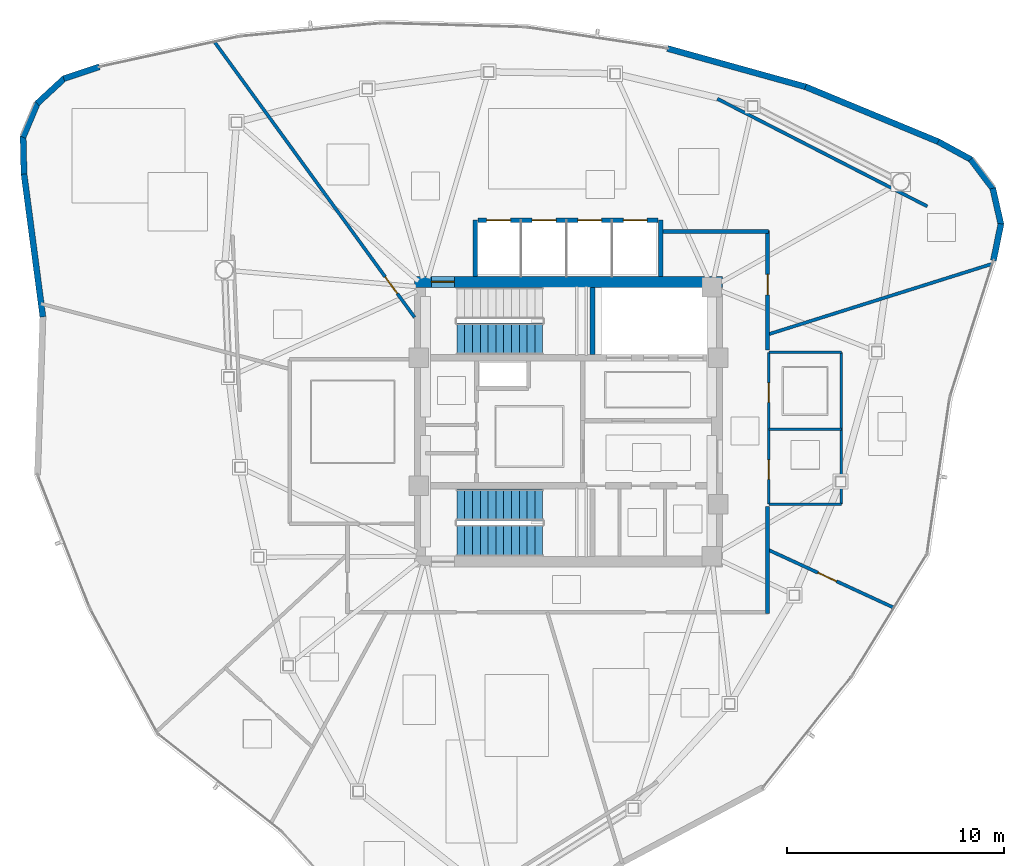
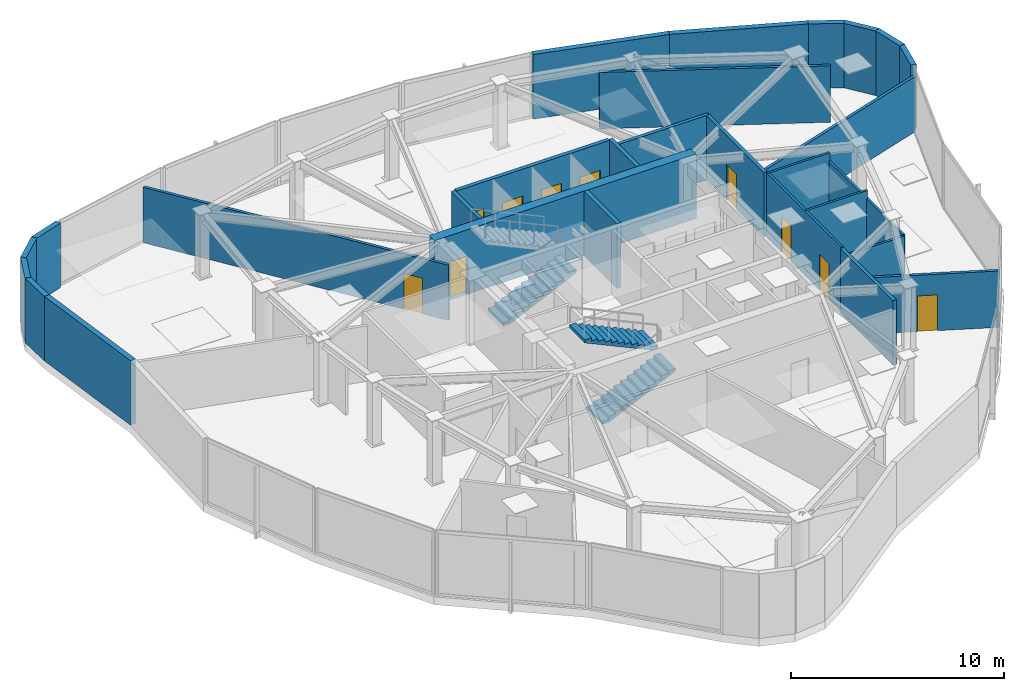
# One storey, part 10 of 14: 28 walls, 10 doors, 3 stair flights, 10 openings, 2 elements without a shape of their own.
"""IFC4 building model written with IfcOpenShell, lengths in metres."""

from ifc_helpers import new_model, si_unit, direction, frame, frame_2d, origin, place, context, subcontext, project, spatial, polyline, rectangle, outline, extrude, material, layer, layer_set, type_object, element, fill, aggregate, save


model = new_model("IFC4")

# Units and contexts
model_context = context("Model", 3, precision=1e-05, world=origin(), true_north=direction((0.0, 1.0)))
body_context = subcontext(model_context, "Body", "Model", "MODEL_VIEW")
ifc_project = project(units=[si_unit("LENGTHUNIT", "METRE"), si_unit("AREAUNIT", "SQUARE_METRE"), si_unit("VOLUMEUNIT", "CUBIC_METRE"), si_unit("PLANEANGLEUNIT", "RADIAN"), si_unit("MASSUNIT", "GRAM", prefix="KILO")], contexts=[model_context])

# Site, building, storey
site_placement = place(None, origin())
site = spatial("IfcSite", under=ifc_project, at=site_placement, CompositionType="ELEMENT")
building_placement = place(site_placement, origin())
building = spatial("IfcBuilding", under=site, at=building_placement, Name="Tavelor Broadcast Tower", CompositionType="ELEMENT")
storey_placement = place(building_placement, frame((0.0, 0.0, 273.5)))
storey = spatial("IfcBuildingStorey", under=building, at=storey_placement, Name="L65", CompositionType="ELEMENT", Elevation=273.5)

# Wall, opening, door
ifc_material_1 = material(Name="Concrete C50/60", Category="concrete")
ifc_layer_1 = layer(ifc_material_1, 0.5)
ifc_layer_set_1 = layer_set([ifc_layer_1], Name="Concrete C50/60")
wall_type_1 = type_object("IfcWallType", Name="Core Shear Wall 500 mm", PredefinedType="SHEAR", material=ifc_layer_set_1)
wall_1_placement = place(storey_placement, frame((42.89990234375, 51.449951171875, 0.0), z_axis=(0.0, 0.0, 1.0), x_axis=(1.0, 0.0, 0.0)))
wall_1 = element("IfcWall", 1, at=wall_1_placement, inside=storey, type_object=wall_type_1, Name="L65 Central Core Shear Wall N", PredefinedType="SHEAR", context=body_context, shape_type="SweptSolid", body=[
    extrude(rectangle(XDim=14.2001953125, YDim=0.5, at=frame_2d((7.10009765625, 0.0))), origin(), (0.0, 0.0, 1.0), 3.699951171875),
])
opening_1_placement = place(wall_1_placement, frame((0.780029296875, 0.0, 0.0)))
opening_1 = element("IfcOpeningElement", 2, at=opening_1_placement, cuts=wall_1, Name="Opening DR11", PredefinedType="OPENING", context=body_context, shape_type="SweptSolid", body=[
    extrude(rectangle(XDim=1.050048828125, YDim=2.199951171875, at=frame_2d((0.52490234375, 1.10009765625))), frame((0.0, 0.260009765625, 0.0), z_axis=(0.0, -1.0, 0.0), x_axis=(1.0, 0.0, 0.0)), (0.0, 0.0, 1.0), 0.52001953125),
])
ifc_material_2 = material(Name="Steel S355", Category="steel")
door_type_1 = type_object("IfcDoorType", Name="Stair Core Fire Escape Door 1050x2200", OperationType="NOTDEFINED", PredefinedType="DOOR", material=ifc_material_2)
door_1_placement = place(opening_1_placement, origin())
door_1 = element("IfcDoor", 3, at=door_1_placement, inside=storey, type_object=door_type_1, Name="L65 Stair ST1 Protected Exit Door", OperationType="SINGLE_SWING_LEFT", OverallHeight=2.199951171875, OverallWidth=1.050048828125, PredefinedType="DOOR", context=body_context, shape_type="SweptSolid", body=[
    extrude(rectangle(XDim=1.050048828125, YDim=2.199951171875, at=frame_2d((0.52490234375, 1.10009765625))), frame((0.0, 0.02490234375, 0.0), z_axis=(0.0, -1.0, 0.0), x_axis=(1.0, 0.0, 0.0)), (0.0, 0.0, 1.0), 0.050048828125),
])
fill(opening_1, door_1)

# Wall
ifc_material_3 = material(Name="Calcium Silicate Fire Board 180 mm", Category="gypsum")
ifc_layer_2 = layer(ifc_material_3, 0.179931640625)
ifc_layer_set_2 = layer_set([ifc_layer_2], Name="Calcium Silicate Fire Board 180 mm")
wall_type_2 = type_object("IfcWallType", Name="Fire-Rated Corridor Partition Wall 180 mm", PredefinedType="PARTITIONING", material=ifc_layer_set_2)
wall_2_placement = place(storey_placement, frame((54.300048828125, 53.780029296875, 0.0), z_axis=(0.0, 0.0, 1.0), x_axis=(1.0, 0.0, 0.0)))
element("IfcWall", 4, at=wall_2_placement, inside=storey, type_object=wall_type_2, Name="L65 Corridor Compartment Wall 01", PredefinedType="PARTITIONING", context=body_context, shape_type="SweptSolid", body=[
    extrude(rectangle(XDim=4.929931640625, YDim=0.179931640625, at=frame_2d((2.46484375, 0.0))), origin(), (0.0, 0.0, 1.0), 3.699951171875),
])

# Wall, opening, door
wall_3_placement = place(storey_placement, frame((59.179931640625, 53.830078125, 0.0), z_axis=(0.0, 0.0, 1.0), x_axis=(0.0, -1.0, 0.0)))
wall_3 = element("IfcWall", 5, at=wall_3_placement, inside=storey, type_object=wall_type_2, Name="L65 Corridor Compartment Wall 02", PredefinedType="PARTITIONING", context=body_context, shape_type="SweptSolid", body=[
    extrude(rectangle(XDim=5.530029296875, YDim=0.179931640625, at=frame_2d((2.76513671875, 0.0))), origin(), (0.0, 0.0, 1.0), 3.699951171875),
])
opening_2_placement = place(wall_3_placement, frame((2.027587890625, 0.0, 0.0)))
opening_2 = element("IfcOpeningElement", 6, at=opening_2_placement, cuts=wall_3, Name="Opening DR18", PredefinedType="OPENING", context=body_context, shape_type="SweptSolid", body=[
    extrude(rectangle(XDim=0.949951171875, YDim=2.050048828125, at=frame_2d((0.47509765625, 1.02490234375))), frame((0.0, 0.10009765625, 0.0), z_axis=(0.0, -1.0, 0.0), x_axis=(1.0, 0.0, 0.0)), (0.0, 0.0, 1.0), 0.199951171875),
])
ifc_material_4 = material(Name="Timber Solid Core Hardwood", Category="wood")
door_type_2 = type_object("IfcDoorType", Name="Corridor Rated Compartment Door 950x2050", OperationType="NOTDEFINED", PredefinedType="DOOR", material=ifc_material_4)
door_2_placement = place(opening_2_placement, origin())
door_2 = element("IfcDoor", 7, at=door_2_placement, inside=storey, type_object=door_type_2, Name="L65 Visitor Reception Desk Door R6", OperationType="SINGLE_SWING_RIGHT", OverallHeight=2.050048828125, OverallWidth=0.949951171875, PredefinedType="DOOR", context=body_context, shape_type="SweptSolid", body=[
    extrude(rectangle(XDim=0.949951171875, YDim=2.050048828125, at=frame_2d((0.47509765625, 1.02490234375))), frame((0.0, 0.02490234375, 0.0), z_axis=(0.0, -1.0, 0.0), x_axis=(1.0, 0.0, 0.0)), (0.0, 0.0, 1.0), 0.050048828125),
])
fill(opening_2, door_2)

# Walls
wall_4_placement = place(storey_placement, frame((59.179931640625, 41.10009765625, 0.0), z_axis=(0.0, 0.0, 1.0), x_axis=(0.0, -1.0, 0.0)))
element("IfcWall", 8, at=wall_4_placement, inside=storey, type_object=wall_type_2, Name="L65 Corridor Compartment Wall 03", PredefinedType="PARTITIONING", context=body_context, shape_type="SweptSolid", body=[
    extrude(rectangle(XDim=4.93017578125, YDim=0.179931640625, at=frame_2d((2.465087890625, 0.0))), origin(), (0.0, 0.0, 1.0), 3.699951171875),
])
ifc_material_5 = material(Name="Precast Concrete C40/50", Category="concrete")
ifc_layer_3 = layer(ifc_material_5, 0.280029296875)
ifc_layer_set_3 = layer_set([ifc_layer_3], Name="Precast Concrete C40/50")
wall_type_3 = type_object("IfcWallType", Name="Insulated Precast Terracotta Facade Wall 280 mm", PredefinedType="STANDARD", material=ifc_layer_set_3)
wall_5_placement = place(storey_placement, frame((28.362060546875, 61.36767578125, 0.0), z_axis=(0.0, 0.0, 1.0), x_axis=(-0.948584116037, -0.316525156665, 0.0)))
element("IfcWall", 9, at=wall_5_placement, inside=storey, type_object=wall_type_3, Name="L65 Rounded Corner Structural Cladding Pier 01", PredefinedType="STANDARD", context=body_context, shape_type="SweptSolid", body=[
    extrude(rectangle(XDim=1.723876953125, YDim=0.280029296875, at=frame_2d((0.86181640625, 0.0))), origin(), (0.0, 0.0, 1.0), 3.699951171875),
])
wall_6_placement = place(storey_placement, frame((26.751953125, 60.8369140625, 0.0), z_axis=(0.0, 0.0, 1.0), x_axis=(-0.734294864486, -0.67883065045, 0.0)))
element("IfcWall", 10, at=wall_6_placement, inside=storey, type_object=wall_type_3, Name="L65 Rounded Corner Structural Cladding Pier 02", PredefinedType="STANDARD", context=body_context, shape_type="SweptSolid", body=[
    extrude(rectangle(XDim=1.71240234375, YDim=0.280029296875, at=frame_2d((0.856201171875, 0.0))), origin(), (0.0, 0.0, 1.0), 3.699951171875),
])
wall_7_placement = place(storey_placement, frame((25.511474609375, 59.698486328125, 0.0), z_axis=(0.0, 0.0, 1.0), x_axis=(-0.389974874074, -0.920825497905, 0.0)))
element("IfcWall", 11, at=wall_7_placement, inside=storey, type_object=wall_type_3, Name="L65 Rounded Corner Structural Cladding Pier 03", PredefinedType="STANDARD", context=body_context, shape_type="SweptSolid", body=[
    extrude(rectangle(XDim=1.712158203125, YDim=0.280029296875, at=frame_2d((0.85595703125, 0.0))), origin(), (0.0, 0.0, 1.0), 3.699951171875),
])
wall_8_placement = place(storey_placement, frame((24.849365234375, 58.150634765625, 0.0), z_axis=(0.0, 0.0, 1.0), x_axis=(0.023501390104, -0.99972380419, 0.0)))
element("IfcWall", 12, at=wall_8_placement, inside=storey, type_object=wall_type_3, Name="L65 Rounded Corner Structural Cladding Pier 04", PredefinedType="STANDARD", context=body_context, shape_type="SweptSolid", body=[
    extrude(rectangle(XDim=1.73486328125, YDim=0.280029296875, at=frame_2d((0.867431640625, 0.0))), origin(), (0.0, 0.0, 1.0), 3.699951171875),
])
wall_9_placement = place(storey_placement, frame((24.887939453125, 56.446044921875, 0.0), z_axis=(0.0, 0.0, 1.0), x_axis=(0.130954667764, -0.9913883573, 0.0)))
element("IfcWall", 13, at=wall_9_placement, inside=storey, type_object=wall_type_3, Name="L65 Rounded Corner Structural Cladding Pier 05", PredefinedType="STANDARD", context=body_context, shape_type="SweptSolid", body=[
    extrude(rectangle(XDim=6.666748046875, YDim=0.280029296875, at=frame_2d((3.33349609375, 0.0))), origin(), (0.0, 0.0, 1.0), 3.699951171875),
])
wall_10_placement = place(storey_placement, frame((69.593505859375, 52.4375, 0.0), z_axis=(0.0, 0.0, 1.0), x_axis=(0.200254120107, 0.979743990734, 0.0)))
element("IfcWall", 14, at=wall_10_placement, inside=storey, type_object=wall_type_3, Name="L65 Rounded Corner Structural Cladding Pier 21", PredefinedType="STANDARD", context=body_context, shape_type="SweptSolid", body=[
    extrude(rectangle(XDim=1.723876953125, YDim=0.280029296875, at=frame_2d((0.86181640625, 0.0))), origin(), (0.0, 0.0, 1.0), 3.699951171875),
])
wall_11_placement = place(storey_placement, frame((69.939208984375, 54.09716796875, 0.0), z_axis=(0.0, 0.0, 1.0), x_axis=(-0.22073351924, 0.975334154782, 0.0)))
element("IfcWall", 15, at=wall_11_placement, inside=storey, type_object=wall_type_3, Name="L65 Rounded Corner Structural Cladding Pier 22", PredefinedType="STANDARD", context=body_context, shape_type="SweptSolid", body=[
    extrude(rectangle(XDim=1.712158203125, YDim=0.280029296875, at=frame_2d((0.85595703125, 0.0))), origin(), (0.0, 0.0, 1.0), 3.699951171875),
])
wall_12_placement = place(storey_placement, frame((69.573486328125, 55.740478515625, 0.0), z_axis=(0.0, 0.0, 1.0), x_axis=(-0.602346921817, 0.798234417811, 0.0)))
element("IfcWall", 16, at=wall_12_placement, inside=storey, type_object=wall_type_3, Name="L65 Rounded Corner Structural Cladding Pier 23", PredefinedType="STANDARD", context=body_context, shape_type="SweptSolid", body=[
    extrude(rectangle(XDim=1.71240234375, YDim=0.280029296875, at=frame_2d((0.856201171875, 0.0))), origin(), (0.0, 0.0, 1.0), 3.699951171875),
])
wall_13_placement = place(storey_placement, frame((68.564208984375, 57.088134765625, 0.0), z_axis=(0.0, 0.0, 1.0), x_axis=(-0.877599648499, 0.479394260452, 0.0)))
element("IfcWall", 17, at=wall_13_placement, inside=storey, type_object=wall_type_3, Name="L65 Rounded Corner Structural Cladding Pier 24", PredefinedType="STANDARD", context=body_context, shape_type="SweptSolid", body=[
    extrude(rectangle(XDim=1.735107421875, YDim=0.280029296875, at=frame_2d((0.86767578125, 0.0))), origin(), (0.0, 0.0, 1.0), 3.699951171875),
])
wall_14_placement = place(storey_placement, frame((67.068603515625, 57.906982421875, 0.0), z_axis=(0.0, 0.0, 1.0), x_axis=(-0.92404009985, 0.382295558264, 0.0)))
element("IfcWall", 18, at=wall_14_placement, inside=storey, type_object=wall_type_3, Name="L65 Rounded Corner Structural Cladding Pier 25", PredefinedType="STANDARD", context=body_context, shape_type="SweptSolid", body=[
    extrude(rectangle(XDim=6.646728515625, YDim=0.280029296875, at=frame_2d((3.3232421875, 0.0))), origin(), (0.0, 0.0, 1.0), 3.699951171875),
])
wall_15_placement = place(storey_placement, frame((60.955078125, 60.438232421875, 0.0), z_axis=(0.0, 0.0, 1.0), x_axis=(-0.963502092463, 0.267700799063, 0.0)))
element("IfcWall", 19, at=wall_15_placement, inside=storey, type_object=wall_type_3, Name="L65 Rounded Corner Structural Cladding Pier 26", PredefinedType="STANDARD", context=body_context, shape_type="SweptSolid", body=[
    extrude(rectangle(XDim=6.634765625, YDim=0.280029296875, at=frame_2d((3.3173828125, 0.0))), origin(), (0.0, 0.0, 1.0), 3.699951171875),
])
ifc_material_6 = material(Name="Gypsum Acoustic Plasterboard 150 mm", Category="gypsum")
ifc_layer_4 = layer(ifc_material_6, 0.14990234375)
ifc_layer_set_4 = layer_set([ifc_layer_4], Name="Gypsum Acoustic Plasterboard 150 mm")
wall_type_4 = type_object("IfcWallType", Name="Interior Acoustic Partition Wall 150 mm", PredefinedType="PARTITIONING", material=ifc_layer_set_4)
wall_16_placement = place(storey_placement, frame((66.542724609375, 54.934326171875, 0.0), z_axis=(0.0, 0.0, 1.0), x_axis=(-0.889966951661, 0.456025026673, 0.0)))
element("IfcWall", 20, at=wall_16_placement, inside=storey, type_object=wall_type_4, Name="L65 Corner Tube Brace Furring Wall 3", PredefinedType="PARTITIONING", context=body_context, shape_type="SweptSolid", body=[
    extrude(rectangle(XDim=10.878662109375, YDim=0.14990234375, at=frame_2d((5.439453125, 0.0))), origin(), (0.0, 0.0, 1.0), 3.235107421875),
])

# Wall, opening, door
wall_17_placement = place(storey_placement, frame((42.89990234375, 49.8173828125, 0.0), z_axis=(0.0, 0.0, 1.0), x_axis=(-0.587778112671, 0.809022181565, 0.0)))
wall_17 = element("IfcWall", 21, at=wall_17_placement, inside=storey, type_object=wall_type_4, Name="L65 Radial Compartment Wall 01", PredefinedType="PARTITIONING", context=body_context, shape_type="SweptSolid", body=[
    extrude(rectangle(XDim=15.71484375, YDim=0.14990234375, at=frame_2d((7.857421875, 0.0))), origin(), (0.0, 0.0, 1.0), 3.175048828125),
])
opening_3_placement = place(wall_17_placement, frame((1.35009765625, 0.0, 0.0)))
opening_3 = element("IfcOpeningElement", 22, at=opening_3_placement, cuts=wall_17, Name="Opening DR18", PredefinedType="OPENING", context=body_context, shape_type="SweptSolid", body=[
    extrude(rectangle(XDim=0.949951171875, YDim=2.050048828125, at=frame_2d((0.47509765625, 1.02490234375))), frame((0.0, 0.0849609375, 0.0), z_axis=(0.0, -1.0, 0.0), x_axis=(1.0, 0.0, 0.0)), (0.0, 0.0, 1.0), 0.169921875),
])
door_3_placement = place(opening_3_placement, origin())
door_3 = element("IfcDoor", 23, at=door_3_placement, inside=storey, type_object=door_type_2, Name="L65 Suite Connecting Door 5", OperationType="SINGLE_SWING_LEFT", OverallHeight=2.050048828125, OverallWidth=0.949951171875, PredefinedType="DOOR", context=body_context, shape_type="SweptSolid", body=[
    extrude(rectangle(XDim=0.949951171875, YDim=2.050048828125, at=frame_2d((0.47509765625, 1.02490234375))), frame((0.0, 0.02490234375, 0.0), z_axis=(0.0, -1.0, 0.0), x_axis=(1.0, 0.0, 0.0)), (0.0, 0.0, 1.0), 0.050048828125),
])
fill(opening_3, door_3)

wall_18_placement = place(storey_placement, frame((59.179931640625, 39.10986328125, 0.0), z_axis=(0.0, 0.0, 1.0), x_axis=(0.908182970633, -0.418573400794, 0.0)))
wall_18 = element("IfcWall", 24, at=wall_18_placement, inside=storey, type_object=wall_type_4, Name="L65 Radial Compartment Wall 06", PredefinedType="PARTITIONING", context=body_context, shape_type="SweptSolid", body=[
    extrude(rectangle(XDim=6.419921875, YDim=0.14990234375, at=frame_2d((3.2099609375, 0.0))), origin(), (0.0, 0.0, 1.0), 3.235107421875),
])
opening_4_placement = place(wall_18_placement, frame((2.550048828125, 0.0, 0.0)))
opening_4 = element("IfcOpeningElement", 25, at=opening_4_placement, cuts=wall_18, Name="Opening DR18", PredefinedType="OPENING", context=body_context, shape_type="SweptSolid", body=[
    extrude(rectangle(XDim=0.949951171875, YDim=2.050048828125, at=frame_2d((0.47509765625, 1.02490234375))), frame((0.0, 0.0849609375, 0.0), z_axis=(0.0, -1.0, 0.0), x_axis=(1.0, 0.0, 0.0)), (0.0, 0.0, 1.0), 0.169921875),
])
door_4_placement = place(opening_4_placement, origin())
door_4 = element("IfcDoor", 26, at=door_4_placement, inside=storey, type_object=door_type_2, Name="L65 Suite Connecting Door 0", OperationType="SINGLE_SWING_RIGHT", OverallHeight=2.050048828125, OverallWidth=0.949951171875, PredefinedType="DOOR", context=body_context, shape_type="SweptSolid", body=[
    extrude(rectangle(XDim=0.949951171875, YDim=2.050048828125, at=frame_2d((0.47509765625, 1.02490234375))), frame((0.0, 0.02490234375, 0.0), z_axis=(0.0, -1.0, 0.0), x_axis=(1.0, 0.0, 0.0)), (0.0, 0.0, 1.0), 0.050048828125),
])
fill(opening_4, door_4)

# Wall
wall_19_placement = place(storey_placement, frame((59.179931640625, 49.02294921875, 0.0), z_axis=(0.0, 0.0, 1.0), x_axis=(0.953863772669, 0.300239742854, 0.0)))
element("IfcWall", 27, at=wall_19_placement, inside=storey, type_object=wall_type_4, Name="L65 Radial Compartment Wall 07", PredefinedType="PARTITIONING", context=body_context, shape_type="SweptSolid", body=[
    extrude(rectangle(XDim=10.87841796875, YDim=0.14990234375, at=frame_2d((5.439208984375, 0.0))), origin(), (0.0, 0.0, 1.0), 3.175048828125),
])

# Wall, openings, doors
ifc_material_7 = material(Name="Concrete Blockwork 200 mm", Category="masonry")
ifc_layer_5 = layer(ifc_material_7, 0.199951171875)
ifc_layer_set_5 = layer_set([ifc_layer_5], Name="Concrete Blockwork 200 mm")
wall_type_5 = type_object("IfcWallType", Name="Lift Hoistway Rated Front Wall 200 mm", PredefinedType="PARTITIONING", material=ifc_layer_set_5)
wall_20_placement = place(storey_placement, frame((45.820068359375, 54.300048828125, 0.0), z_axis=(0.0, 0.0, 1.0), x_axis=(1.0, 0.0, 0.0)))
wall_20 = element("IfcWall", 28, at=wall_20_placement, inside=storey, type_object=wall_type_5, Name="L65 High-Rise Lift Hoistway Front Wall", PredefinedType="PARTITIONING", context=body_context, shape_type="SweptSolid", body=[
    extrude(rectangle(XDim=8.309814453125, YDim=0.199951171875, at=frame_2d((4.15478515625, 0.0))), origin(), (0.0, 0.0, 1.0), 3.699951171875),
])
opening_5_placement = place(wall_20_placement, frame((0.405029296875, 0.0, 0.0)))
opening_5 = element("IfcOpeningElement", 29, at=opening_5_placement, cuts=wall_20, Name="Opening LD01", PredefinedType="OPENING", context=body_context, shape_type="SweptSolid", body=[
    extrude(rectangle(XDim=1.10009765625, YDim=2.14990234375, at=frame_2d((0.550048828125, 1.074951171875))), frame((0.0, 0.10986328125, 0.0), z_axis=(0.0, -1.0, 0.0), x_axis=(1.0, 0.0, 0.0)), (0.0, 0.0, 1.0), 0.219970703125),
])
opening_6_placement = place(wall_20_placement, frame((2.5048828125, 0.0, 0.0)))
opening_6 = element("IfcOpeningElement", 30, at=opening_6_placement, cuts=wall_20, Name="Opening LD01", PredefinedType="OPENING", context=body_context, shape_type="SweptSolid", body=[
    extrude(rectangle(XDim=1.10009765625, YDim=2.14990234375, at=frame_2d((0.550048828125, 1.074951171875))), frame((0.0, 0.10986328125, 0.0), z_axis=(0.0, -1.0, 0.0), x_axis=(1.0, 0.0, 0.0)), (0.0, 0.0, 1.0), 0.219970703125),
])
opening_7_placement = place(wall_20_placement, frame((4.60498046875, 0.0, 0.0)))
opening_7 = element("IfcOpeningElement", 31, at=opening_7_placement, cuts=wall_20, Name="Opening LD01", PredefinedType="OPENING", context=body_context, shape_type="SweptSolid", body=[
    extrude(rectangle(XDim=1.10009765625, YDim=2.14990234375, at=frame_2d((0.550048828125, 1.074951171875))), frame((0.0, 0.10986328125, 0.0), z_axis=(0.0, -1.0, 0.0), x_axis=(1.0, 0.0, 0.0)), (0.0, 0.0, 1.0), 0.219970703125),
])
opening_8_placement = place(wall_20_placement, frame((6.705078125, 0.0, 0.0)))
opening_8 = element("IfcOpeningElement", 32, at=opening_8_placement, cuts=wall_20, Name="Opening LD01", PredefinedType="OPENING", context=body_context, shape_type="SweptSolid", body=[
    extrude(rectangle(XDim=1.10009765625, YDim=2.14990234375, at=frame_2d((0.550048828125, 1.074951171875))), frame((0.0, 0.10986328125, 0.0), z_axis=(0.0, -1.0, 0.0), x_axis=(1.0, 0.0, 0.0)), (0.0, 0.0, 1.0), 0.219970703125),
])
ifc_material_8 = material(Name="Brushed Stainless Steel", Category="steel")
door_type_3 = type_object("IfcDoorType", Name="Passenger Lift Sliding Landing Door 1100x2150", OperationType="NOTDEFINED", PredefinedType="DOOR", material=ifc_material_8)
door_5_placement = place(opening_5_placement, origin())
door_5 = element("IfcDoor", 33, at=door_5_placement, inside=storey, type_object=door_type_3, Name="L65 Lift PLH1 Sliding Landing Door", OperationType="SLIDING_TO_LEFT", OverallHeight=2.14990234375, OverallWidth=1.10009765625, PredefinedType="DOOR", context=body_context, shape_type="SweptSolid", body=[
    extrude(rectangle(XDim=1.10009765625, YDim=2.14990234375, at=frame_2d((0.550048828125, 1.074951171875))), frame((0.0, 0.02490234375, 0.0), z_axis=(0.0, -1.0, 0.0), x_axis=(1.0, 0.0, 0.0)), (0.0, 0.0, 1.0), 0.050048828125),
])
fill(opening_5, door_5)
door_6_placement = place(opening_6_placement, origin())
door_6 = element("IfcDoor", 34, at=door_6_placement, inside=storey, type_object=door_type_3, Name="L65 Lift PLH2 Sliding Landing Door", OperationType="SLIDING_TO_RIGHT", OverallHeight=2.14990234375, OverallWidth=1.10009765625, PredefinedType="DOOR", context=body_context, shape_type="SweptSolid", body=[
    extrude(rectangle(XDim=1.10009765625, YDim=2.14990234375, at=frame_2d((0.550048828125, 1.074951171875))), frame((0.0, 0.02490234375, 0.0), z_axis=(0.0, -1.0, 0.0), x_axis=(1.0, 0.0, 0.0)), (0.0, 0.0, 1.0), 0.050048828125),
])
fill(opening_6, door_6)
door_7_placement = place(opening_7_placement, origin())
door_7 = element("IfcDoor", 35, at=door_7_placement, inside=storey, type_object=door_type_3, Name="L65 Lift PLH3 Sliding Landing Door", OperationType="SLIDING_TO_LEFT", OverallHeight=2.14990234375, OverallWidth=1.10009765625, PredefinedType="DOOR", context=body_context, shape_type="SweptSolid", body=[
    extrude(rectangle(XDim=1.10009765625, YDim=2.14990234375, at=frame_2d((0.550048828125, 1.074951171875))), frame((0.0, 0.02490234375, 0.0), z_axis=(0.0, -1.0, 0.0), x_axis=(1.0, 0.0, 0.0)), (0.0, 0.0, 1.0), 0.050048828125),
])
fill(opening_7, door_7)
door_8_placement = place(opening_8_placement, origin())
door_8 = element("IfcDoor", 36, at=door_8_placement, inside=storey, type_object=door_type_3, Name="L65 Lift PLH4 Sliding Landing Door", OperationType="SLIDING_TO_RIGHT", OverallHeight=2.14990234375, OverallWidth=1.10009765625, PredefinedType="DOOR", context=body_context, shape_type="SweptSolid", body=[
    extrude(rectangle(XDim=1.10009765625, YDim=2.14990234375, at=frame_2d((0.550048828125, 1.074951171875))), frame((0.0, 0.02490234375, 0.0), z_axis=(0.0, -1.0, 0.0), x_axis=(1.0, 0.0, 0.0)), (0.0, 0.0, 1.0), 0.050048828125),
])
fill(opening_8, door_8)

# Walls
ifc_layer_6 = layer(ifc_material_7, 0.199951171875)
ifc_layer_set_6 = layer_set([ifc_layer_6], Name="Concrete Blockwork 200 mm")
wall_type_6 = type_object("IfcWallType", Name="Lift and Riser Shaft Enclosure Wall 200 mm", PredefinedType="PARTITIONING", material=ifc_layer_set_6)
for number, where, z_axis, x_axis, name in (
    (37, (45.699951171875, 51.699951171875, 0.0), (0.0, 0.0, 1.0), (0.0, 1.0, 0.0), "L65 High-Rise Lift Shaft West Wall"),
    (38, (54.25, 51.699951171875, 0.0), (0.0, 0.0, 1.0), (0.0, 1.0, 0.0), "L65 High-Rise Lift Shaft East Wall"),
):
    element("IfcWall", number, at=place(storey_placement, frame(where, z_axis=z_axis, x_axis=x_axis)), inside=storey, type_object=wall_type_6, Name=name, PredefinedType="PARTITIONING", context=body_context, shape_type="SweptSolid", body=[
        extrude(rectangle(XDim=2.60009765625, YDim=0.199951171875, at=frame_2d((1.300048828125, 0.0))), origin(), (0.0, 0.0, 1.0), 3.699951171875),
    ])

# Wall, openings, doors
ifc_material_9 = material(Name="Moisture-Resistant Plasterboard 120 mm", Category="gypsum")
ifc_layer_7 = layer(ifc_material_9, 0.1201171875)
ifc_layer_set_7 = layer_set([ifc_layer_7], Name="Moisture-Resistant Plasterboard 120 mm")
wall_type_7 = type_object("IfcWallType", Name="Moisture-Resistant Wet-Room Partition 120 mm", PredefinedType="PARTITIONING", material=ifc_layer_set_7)
wall_21_placement = place(storey_placement, frame((59.239990234375, 41.199951171875, 0.0), z_axis=(0.0, 0.0, 1.0), x_axis=(0.0, 1.0, 0.0)))
wall_21 = element("IfcWall", 39, at=wall_21_placement, inside=storey, type_object=wall_type_7, Name="L65 Floor Washrooms West Wall", PredefinedType="PARTITIONING", context=body_context, shape_type="SweptSolid", body=[
    extrude(rectangle(XDim=7.0, YDim=0.1201171875, at=frame_2d((3.5, 0.0))), origin(), (0.0, 0.0, 1.0), 3.699951171875),
])
opening_9_placement = place(wall_21_placement, frame((1.14990234375, 0.0, 0.0)))
opening_9 = element("IfcOpeningElement", 40, at=opening_9_placement, cuts=wall_21, Name="Opening DR32", PredefinedType="OPENING", context=body_context, shape_type="SweptSolid", body=[
    extrude(rectangle(XDim=0.89990234375, YDim=2.050048828125, at=frame_2d((0.449951171875, 1.02490234375))), frame((0.0, 0.070068359375, 0.0), z_axis=(0.0, -1.0, 0.0), x_axis=(1.0, 0.0, 0.0)), (0.0, 0.0, 1.0), 0.14013671875),
])
opening_10_placement = place(wall_21_placement, frame((4.699951171875, 0.0, 0.0)))
opening_10 = element("IfcOpeningElement", 41, at=opening_10_placement, cuts=wall_21, Name="Opening DR32", PredefinedType="OPENING", context=body_context, shape_type="SweptSolid", body=[
    extrude(rectangle(XDim=0.89990234375, YDim=2.050048828125, at=frame_2d((0.449951171875, 1.02490234375))), frame((0.0, 0.070068359375, 0.0), z_axis=(0.0, -1.0, 0.0), x_axis=(1.0, 0.0, 0.0)), (0.0, 0.0, 1.0), 0.14013671875),
])
door_type_4 = type_object("IfcDoorType", Name="Accessible Washroom Door 900x2050", OperationType="NOTDEFINED", PredefinedType="DOOR", material=ifc_material_4)
door_9_placement = place(opening_9_placement, origin())
door_9 = element("IfcDoor", 42, at=door_9_placement, inside=storey, type_object=door_type_4, Name="L65 Accessible WC Door", OperationType="SINGLE_SWING_LEFT", OverallHeight=2.050048828125, OverallWidth=0.89990234375, PredefinedType="DOOR", context=body_context, shape_type="SweptSolid", body=[
    extrude(rectangle(XDim=0.89990234375, YDim=2.050048828125, at=frame_2d((0.449951171875, 1.02490234375))), frame((0.0, 0.02490234375, 0.0), z_axis=(0.0, -1.0, 0.0), x_axis=(1.0, 0.0, 0.0)), (0.0, 0.0, 1.0), 0.050048828125),
])
fill(opening_9, door_9)
door_10_placement = place(opening_10_placement, origin())
door_10 = element("IfcDoor", 43, at=door_10_placement, inside=storey, type_object=door_type_4, Name="L65 Staff Washroom WC Door", OperationType="SINGLE_SWING_RIGHT", OverallHeight=2.050048828125, OverallWidth=0.89990234375, PredefinedType="DOOR", context=body_context, shape_type="SweptSolid", body=[
    extrude(rectangle(XDim=0.89990234375, YDim=2.050048828125, at=frame_2d((0.449951171875, 1.02490234375))), frame((0.0, 0.02490234375, 0.0), z_axis=(0.0, -1.0, 0.0), x_axis=(1.0, 0.0, 0.0)), (0.0, 0.0, 1.0), 0.050048828125),
])
fill(opening_10, door_10)

# Walls
wall_22_placement = place(storey_placement, frame((59.239990234375, 41.199951171875, 0.0), z_axis=(0.0, 0.0, 1.0), x_axis=(1.0, 0.0, 0.0)))
element("IfcWall", 44, at=wall_22_placement, inside=storey, type_object=wall_type_7, Name="L65 Floor Washrooms South Wall", PredefinedType="PARTITIONING", context=body_context, shape_type="SweptSolid", body=[
    extrude(rectangle(XDim=3.340087890625, YDim=0.1201171875, at=frame_2d((1.669921875, 0.0))), origin(), (0.0, 0.0, 1.0), 3.175048828125),
])
for number, where, z_axis, x_axis, name in (
    (45, (59.239990234375, 44.64990234375, 0.0), (0.0, 0.0, 1.0), (1.0, 0.0, 0.0), "L65 Floor Washrooms Divider Wall"),
    (46, (59.239990234375, 48.199951171875, 0.0), (0.0, 0.0, 1.0), (1.0, 0.0, 0.0), "L65 Floor Washrooms North Wall"),
):
    element("IfcWall", number, at=place(storey_placement, frame(where, z_axis=z_axis, x_axis=x_axis)), inside=storey, type_object=wall_type_7, Name=name, PredefinedType="PARTITIONING", context=body_context, shape_type="SweptSolid", body=[
        extrude(rectangle(XDim=3.340087890625, YDim=0.1201171875, at=frame_2d((1.669921875, 0.0))), origin(), (0.0, 0.0, 1.0), 3.699951171875),
    ])
wall_23_placement = place(storey_placement, frame((62.580078125, 41.199951171875, 0.0), z_axis=(0.0, 0.0, 1.0), x_axis=(0.0, 1.0, 0.0)))
element("IfcWall", 47, at=wall_23_placement, inside=storey, type_object=wall_type_7, Name="L65 Floor Washrooms East Wall", PredefinedType="PARTITIONING", context=body_context, shape_type="SweptSolid", body=[
    extrude(rectangle(XDim=7.0, YDim=0.1201171875, at=frame_2d((3.5, 0.0))), origin(), (0.0, 0.0, 1.0), 3.235107421875),
])
ifc_material_10 = material(Name="Concrete C40/50", Category="concrete")
ifc_layer_8 = layer(ifc_material_10, 0.219970703125)
ifc_layer_set_8 = layer_set([ifc_layer_8], Name="Concrete C40/50")
wall_type_8 = type_object("IfcWallType", Name="Structural Stairwell Shear Wall 220 mm", PredefinedType="SHEAR", material=ifc_layer_set_8)
wall_24_placement = place(storey_placement, frame((51.110107421875, 48.10009765625, 0.0), z_axis=(0.0, 0.0, 1.0), x_axis=(0.0, 1.0, 0.0)))
element("IfcWall", 48, at=wall_24_placement, inside=storey, type_object=wall_type_8, Name="L65 Stair ST1 Structural Shaft Wall", PredefinedType="SHEAR", context=body_context, shape_type="SweptSolid", body=[
    extrude(rectangle(XDim=3.099853515625, YDim=0.219970703125, at=frame_2d((1.5498046875, 0.0))), origin(), (0.0, 0.0, 1.0), 3.699951171875),
])

# Stair, stair flight
stair_type = type_object("IfcStairType", Name="Reinforced Concrete Protected Dogleg Stair 1450 mm", PredefinedType="HALF_TURN_STAIR", material=ifc_material_10)
stair_1_placement = place(storey_placement, origin())
stair_1 = element("IfcStair", 49, at=stair_1_placement, inside=storey, type_object=stair_type, Name="L65 Protected Core Exit Stair ST1", PredefinedType="HALF_TURN_STAIR")
stair_flight_type = type_object("IfcStairFlightType", Name="Reinforced Concrete Stair Flight 1450 mm", PredefinedType="STRAIGHT", material=ifc_material_10)
stair_flight_1_placement = place(storey_placement, frame((44.85009765625, 48.824951171875, 0.0), z_axis=(0.0, 0.0, 1.0), x_axis=(1.0, 0.0, 0.0)))
stair_flight_1 = element("IfcStairFlight", 50, at=stair_flight_1_placement, type_object=stair_flight_type, Name="ST1 flight 1", NumberOfRisers=12, NumberOfTreads=11, PredefinedType="STRAIGHT", RiserHeight=0.166666667, TreadLength=0.36, context=body_context, shape_type="SweptSolid", body=[
    extrude(outline(polyline([(0.0, 0.0), (0.0, 0.166748046875), (0.360107421875, 0.166748046875), (0.360107421875, 0.333251953125), (0.719970703125, 0.333251953125), (0.719970703125, 0.5), (1.080078125, 0.5), (1.080078125, 0.666748046875), (1.43994140625, 0.666748046875), (1.43994140625, 0.833251953125), (1.800048828125, 0.833251953125), (1.800048828125, 1.0), (2.159912109375, 1.0), (2.159912109375, 1.166748046875), (2.52001953125, 1.166748046875), (2.52001953125, 1.333251953125), (2.8798828125, 1.333251953125), (2.8798828125, 1.5), (3.239990234375, 1.5), (3.239990234375, 1.666748046875), (3.60009765625, 1.666748046875), (3.60009765625, 1.833251953125), (3.9599609375, 1.833251953125), (3.9599609375, 2.0), (3.9599609375, 1.668212890625), (0.356689453125, 0.0), (0.0, 0.0)])), frame((0.0, 0.72509765625, 0.0), z_axis=(0.0, -1.0, 0.0), x_axis=(1.0, 0.0, 0.0)), (0.0, 0.0, 1.0), 1.449951171875),
])
aggregate(stair_1, [stair_flight_1])

# Stair, stair flights
stair_2_placement = place(storey_placement, origin())
stair_2 = element("IfcStair", 51, at=stair_2_placement, inside=storey, type_object=stair_type, Name="L65 Protected Core Exit Stair ST2", PredefinedType="HALF_TURN_STAIR")
stair_flight_2_placement = place(storey_placement, frame((44.85009765625, 39.52490234375, 0.0), z_axis=(0.0, 0.0, 1.0), x_axis=(1.0, 0.0, 0.0)))
stair_flight_2 = element("IfcStairFlight", 52, at=stair_flight_2_placement, type_object=stair_flight_type, Name="ST2 flight 1", NumberOfRisers=12, NumberOfTreads=11, PredefinedType="STRAIGHT", RiserHeight=0.166666667, TreadLength=0.36, context=body_context, shape_type="SweptSolid", body=[
    extrude(outline(polyline([(0.0, 0.0), (0.0, 0.166748046875), (0.360107421875, 0.166748046875), (0.360107421875, 0.333251953125), (0.719970703125, 0.333251953125), (0.719970703125, 0.5), (1.080078125, 0.5), (1.080078125, 0.666748046875), (1.43994140625, 0.666748046875), (1.43994140625, 0.833251953125), (1.800048828125, 0.833251953125), (1.800048828125, 1.0), (2.159912109375, 1.0), (2.159912109375, 1.166748046875), (2.52001953125, 1.166748046875), (2.52001953125, 1.333251953125), (2.8798828125, 1.333251953125), (2.8798828125, 1.5), (3.239990234375, 1.5), (3.239990234375, 1.666748046875), (3.60009765625, 1.666748046875), (3.60009765625, 1.833251953125), (3.9599609375, 1.833251953125), (3.9599609375, 2.0), (3.9599609375, 1.668212890625), (0.356689453125, 0.0), (0.0, 0.0)])), frame((0.0, 0.72509765625, 0.0), z_axis=(0.0, -1.0, 0.0), x_axis=(1.0, 0.0, 0.0)), (0.0, 0.0, 1.0), 1.449951171875),
])
stair_flight_3_placement = place(storey_placement, frame((48.81005859375, 41.175048828125, 2.0), z_axis=(0.0, 0.0, 1.0), x_axis=(-1.0, 0.0, 0.0)))
stair_flight_3 = element("IfcStairFlight", 53, at=stair_flight_3_placement, type_object=stair_flight_type, Name="ST2 flight 2", NumberOfRisers=12, NumberOfTreads=11, PredefinedType="STRAIGHT", RiserHeight=0.166666667, TreadLength=0.36, context=body_context, shape_type="SweptSolid", body=[
    extrude(outline(polyline([(0.0, 0.0), (0.0, 0.166748046875), (0.360107421875, 0.166748046875), (0.360107421875, 0.333251953125), (0.719970703125, 0.333251953125), (0.719970703125, 0.5), (1.080078125, 0.5), (1.080078125, 0.666748046875), (1.43994140625, 0.666748046875), (1.43994140625, 0.833251953125), (1.800048828125, 0.833251953125), (1.800048828125, 1.0), (2.159912109375, 1.0), (2.159912109375, 1.166748046875), (2.52001953125, 1.166748046875), (2.52001953125, 1.333251953125), (2.8798828125, 1.333251953125), (2.8798828125, 1.5), (3.239990234375, 1.5), (3.239990234375, 1.666748046875), (3.60009765625, 1.666748046875), (3.60009765625, 1.833251953125), (3.9599609375, 1.833251953125), (3.9599609375, 2.0), (3.9599609375, 1.668212890625), (0.356689453125, 0.0), (0.0, 0.0)])), frame((0.0, 0.72509765625, 0.0), z_axis=(0.0, -1.0, 0.0), x_axis=(1.0, 0.0, 0.0)), (0.0, 0.0, 1.0), 1.449951171875),
])
aggregate(stair_2, [stair_flight_2, stair_flight_3])

save(model, "model.ifc")
